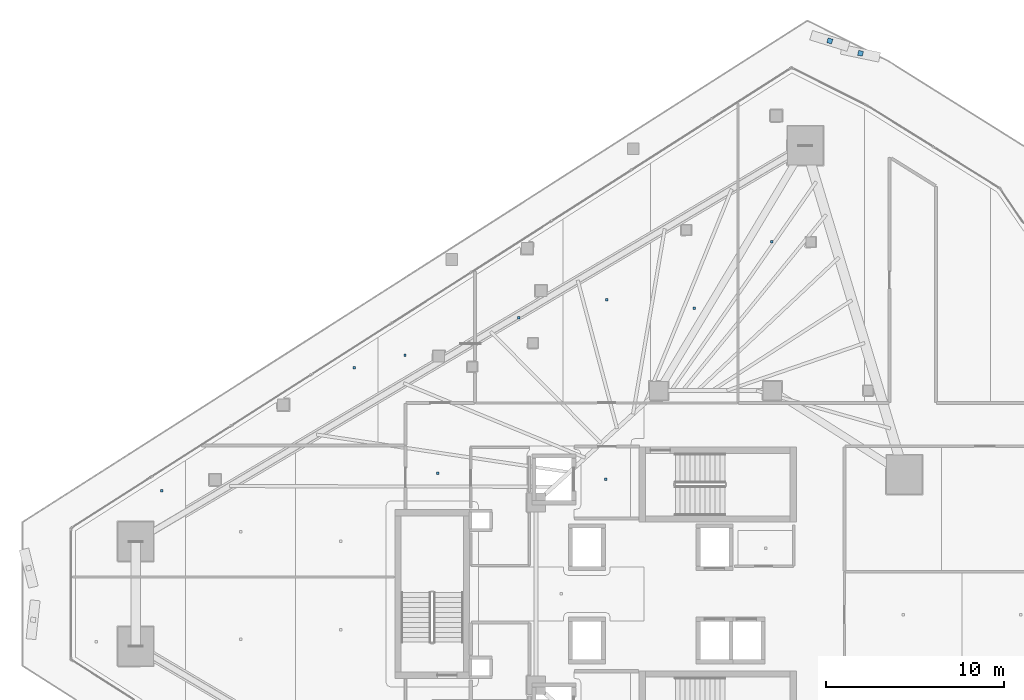
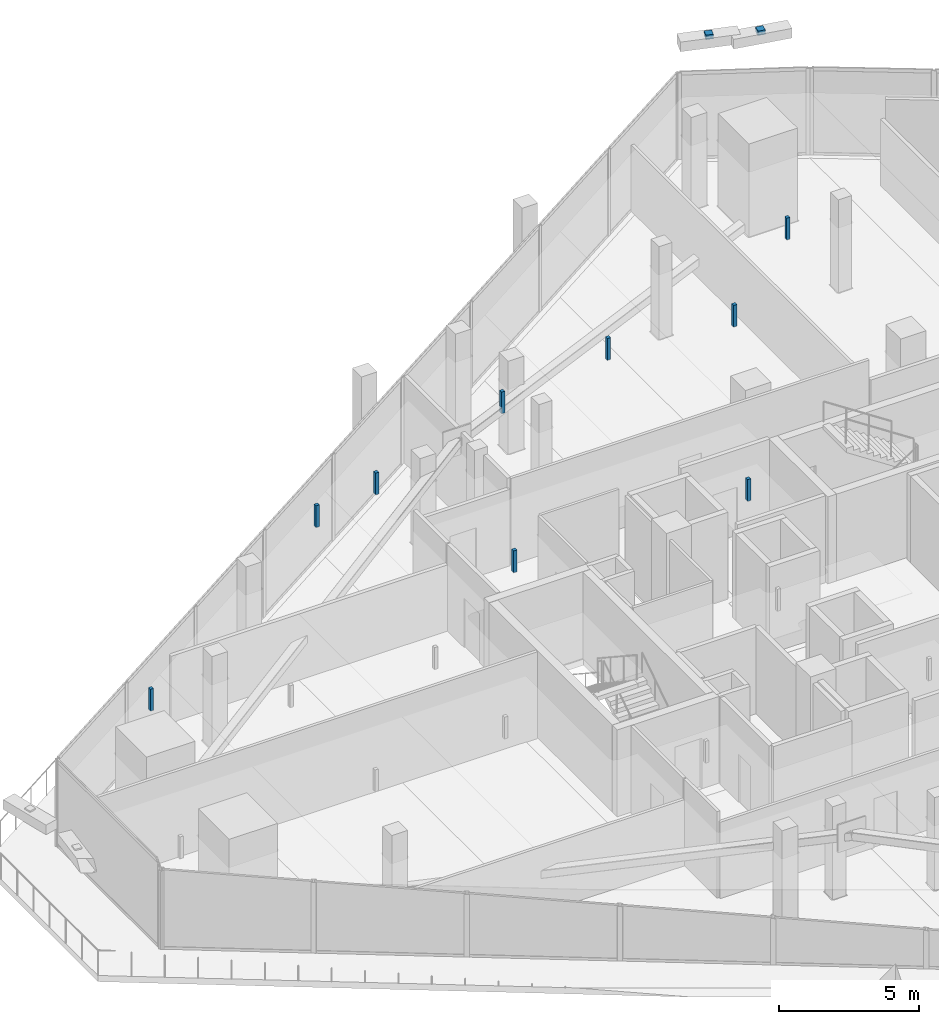
# One storey, part 35 of 43: 11 discrete accessories.
"""IFC4 building model written with IfcOpenShell, lengths in metres."""

from ifc_helpers import new_model, si_unit, direction, frame, origin, origin_2d, place, context, subcontext, project, spatial, rectangle, extrude, material, type_object, element, save


model = new_model("IFC4")

# Units and contexts
model_context = context("Model", 3, precision=1e-05, world=origin(), true_north=direction((0.0, 1.0)))
body_context = subcontext(model_context, "Body", "Model", "MODEL_VIEW")
ifc_project = project(units=[si_unit("LENGTHUNIT", "METRE"), si_unit("AREAUNIT", "SQUARE_METRE"), si_unit("VOLUMEUNIT", "CUBIC_METRE"), si_unit("PLANEANGLEUNIT", "RADIAN"), si_unit("MASSUNIT", "GRAM", prefix="KILO")], contexts=[model_context])

# Site, building, storey
site_placement = place(None, origin())
site = spatial("IfcSite", under=ifc_project, at=site_placement, CompositionType="ELEMENT")
building_placement = place(site_placement, origin())
building = spatial("IfcBuilding", under=site, at=building_placement, Name="Qorvath Tower", CompositionType="ELEMENT")
storey_placement = place(building_placement, frame((0.0, 0.0, 150.300048828125)))
storey = spatial("IfcBuildingStorey", under=building, at=storey_placement, Name="L34", CompositionType="ELEMENT", Elevation=150.300048828125)

# Discrete accessories
ifc_material = material(Name="Galvanised steel bracket", Category="steel")
discrete_accessory_type = type_object("IfcDiscreteAccessoryType", Name="DA-BRACKET", PredefinedType="BRACKET", material=ifc_material)
for number, where, z_axis, x_axis, name in (
    (1, (-12.2412109375, 30.439208984375, 3.64013671875), (0.0, 0.0, 1.0), (-0.979055778466, 0.203592196935, 0.0), "Louvre Wave Support Bracket L34-05"),
    (2, (-13.96875, 31.136474609375, 3.64013671875), (0.0, 0.0, 1.0), (-0.95593762063, 0.293569864707, 0.0), "Louvre Wave Support Bracket L34-06"),
):
    element("IfcDiscreteAccessory", number, at=place(storey_placement, frame(where, z_axis=z_axis, x_axis=x_axis)), inside=storey, type_object=discrete_accessory_type, Name=name, PredefinedType="NOTDEFINED", context=body_context, shape_type="SweptSolid", body=[
        extrude(rectangle(XDim=0.280029296875, YDim=0.280029296875, at=origin_2d()), origin(), (0.0, 0.0, 1.0), 0.199951171875),
    ])
for number, where, z_axis, x_axis, name in (
    (3, (-26.590087890625, 6.449951171875, 2.85986328125), (0.0, 0.0, 1.0), (1.0, 0.0, 0.0), "Acoustic Ceiling Suspension Hanger T1-L34-001"),
    (4, (-36.040283203125, 6.782470703125, 2.85986328125), (0.0, 0.0, 1.0), (1.0, 0.0, 0.0), "Acoustic Ceiling Suspension Hanger T1-L34-007"),
    (5, (-40.748291015625, 12.736083984375, 2.85986328125), (0.0, 0.0, 1.0), (1.0, 0.0, 0.0), "Acoustic Ceiling Suspension Hanger T1-L34-009"),
    (6, (-37.8876953125, 13.43798828125, 2.85986328125), (0.0, 0.0, 1.0), (1.0, 0.0, 0.0), "Acoustic Ceiling Suspension Hanger T1-L34-010"),
    (7, (-31.47021484375, 15.55810546875, 2.85986328125), (0.0, 0.0, 1.0), (1.0, 0.0, 0.0), "Acoustic Ceiling Suspension Hanger T1-L34-011"),
    (8, (-26.537109375, 16.5546875, 2.85986328125), (0.0, 0.0, 1.0), (1.0, 0.0, 0.0), "Acoustic Ceiling Suspension Hanger T1-L34-012"),
    (9, (-21.60400390625, 16.088623046875, 2.85986328125), (0.0, 0.0, 1.0), (1.0, 0.0, 0.0), "Acoustic Ceiling Suspension Hanger T1-L34-013"),
    (10, (-17.245849609375, 19.83935546875, 2.85986328125), (0.0, 0.0, 1.0), (1.0, 0.0, 0.0), "Acoustic Ceiling Suspension Hanger T1-L34-014"),
    (11, (-51.580078125, 5.80615234375, 2.85986328125), (0.0, 0.0, 1.0), (1.0, 0.0, 0.0), "Acoustic Ceiling Suspension Hanger T1-L34-030"),
):
    element("IfcDiscreteAccessory", number, at=place(storey_placement, frame(where, z_axis=z_axis, x_axis=x_axis)), inside=storey, type_object=discrete_accessory_type, Name=name, PredefinedType="NOTDEFINED", context=body_context, shape_type="SweptSolid", body=[
        extrude(rectangle(XDim=0.139892578125, YDim=0.139892578125, at=origin_2d()), origin(), (0.0, 0.0, 1.0), 0.9501953125),
    ])

save(model, "model.ifc")
